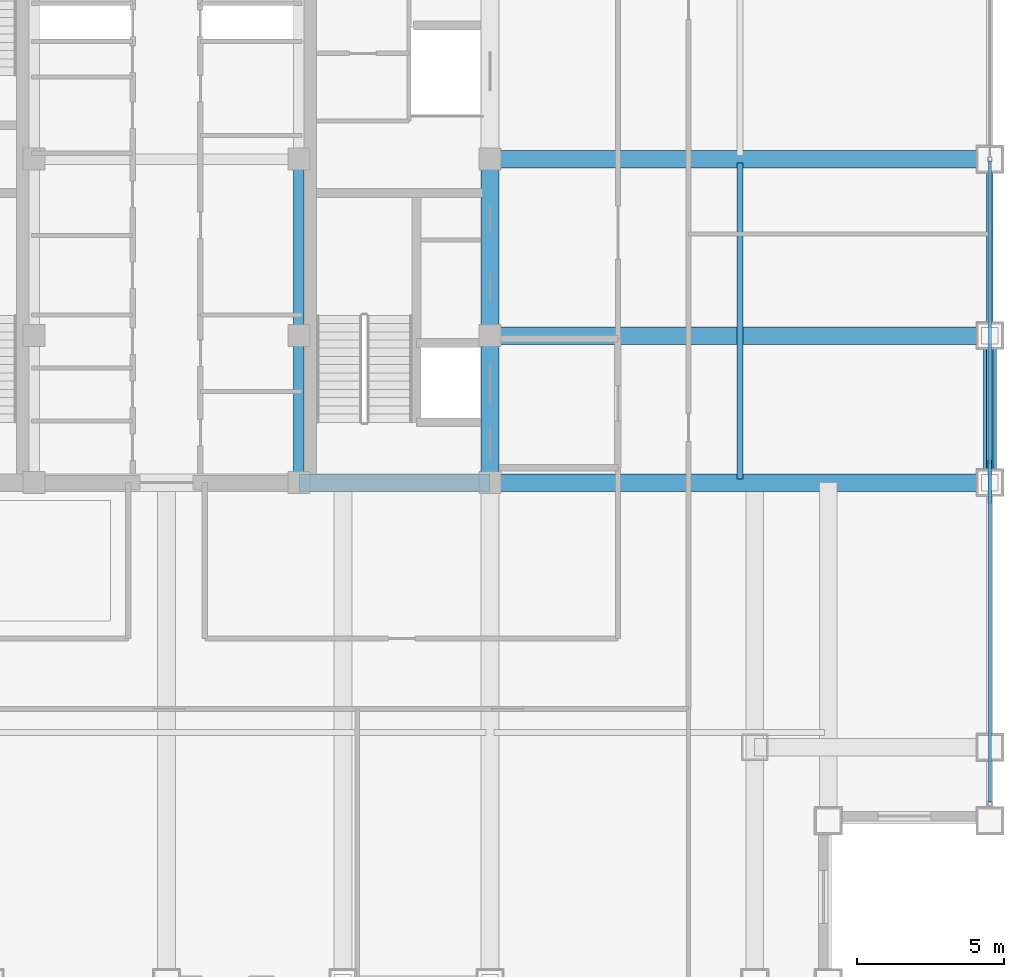
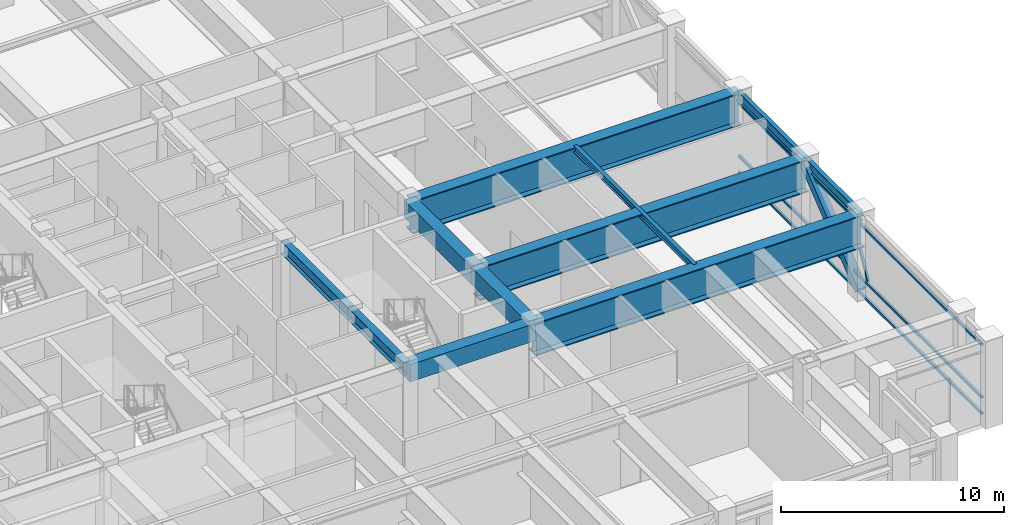
# One storey, part 11 of 31: 11 beams, 5 members, 1 element without a shape of its own.
"""IFC4 building model written with IfcOpenShell, lengths in metres."""

from ifc_helpers import new_model, si_unit, direction, frame, origin, origin_2d, place, context, subcontext, project, spatial, rectangle, hollow_rectangle, i_section, extrude, source, transform, mapped, material, material_profile, profile_set, type_object, element, aggregate, save


model = new_model("IFC4")

# Units and contexts
model_context = context("Model", 3, precision=1e-05, world=origin(), true_north=direction((0.0, 1.0)))
body_context = subcontext(model_context, "Body", "Model", "MODEL_VIEW")
ifc_project = project(units=[si_unit("LENGTHUNIT", "METRE"), si_unit("AREAUNIT", "SQUARE_METRE"), si_unit("VOLUMEUNIT", "CUBIC_METRE"), si_unit("PLANEANGLEUNIT", "RADIAN"), si_unit("MASSUNIT", "GRAM", prefix="KILO")], contexts=[model_context])

# Site, building, storey
site_placement = place(None, origin())
site = spatial("IfcSite", under=ifc_project, at=site_placement, CompositionType="ELEMENT")
building_placement = place(site_placement, origin())
building = spatial("IfcBuilding", under=site, at=building_placement, Name="Khorayat Bourse Tower", CompositionType="ELEMENT")
storey_placement = place(building_placement, frame((0.0, 0.0, 321.5)))
storey = spatial("IfcBuildingStorey", under=building, at=storey_placement, Name="L76", CompositionType="ELEMENT", Elevation=321.5)

# Beams
ifc_material_1 = material(Name="Steel ASTM A992 Grade 50", Category="steel")
ifc_material_profile_1 = material_profile(ifc_material_1, i_section(OverallWidth=0.35498046875, OverallDepth=0.695068359375, WebThickness=0.015380859375, FlangeThickness=0.02490234375, FilletRadius=0.01806640625, at=origin_2d()), Name="W690X217")
ifc_profile_set_1 = profile_set([ifc_material_profile_1], Name="Steel ASTM A992 Grade 50")
beam_type_1 = type_object("IfcBeamType", Name="BM-GIRD-690", PredefinedType="BEAM", material=ifc_profile_set_1)
shared_shape_1 = source(origin(), body_context, "Body", "SweptSolid", [
    extrude(i_section(OverallWidth=0.35498046875, OverallDepth=0.695068359375, WebThickness=0.015380859375, FlangeThickness=0.02490234375, FilletRadius=0.01806640625, at=origin_2d()), origin(), (0.0, 0.0, 1.0), 5.0),
])
beam_1_placement = place(storey_placement, frame((4.5, -11.0, 4.1923828125), z_axis=(0.0, 1.0, 0.0), x_axis=(-1.0, 0.0, 0.0)))
element("IfcBeam", 1, at=beam_1_placement, inside=storey, type_object=beam_type_1, Name="L76 BM-GIRD-690 BM-L76-CRX-09", PredefinedType="BEAM", context=body_context, shape_type="MappedRepresentation", body=[
    mapped(shared_shape_1, transform((0.0, 0.0, 0.0), scale=1.0)),
])
shared_shape_2 = source(origin(), body_context, "Body", "SweptSolid", [
    extrude(i_section(OverallWidth=0.35498046875, OverallDepth=0.695068359375, WebThickness=0.015380859375, FlangeThickness=0.02490234375, FilletRadius=0.01806640625, at=origin_2d()), origin(), (0.0, 0.0, 1.0), 6.0),
])
beam_2_placement = place(storey_placement, frame((4.5, -6.0, 4.1923828125), z_axis=(0.0, 1.0, 0.0), x_axis=(-1.0, 0.0, 0.0)))
element("IfcBeam", 2, at=beam_2_placement, inside=storey, type_object=beam_type_1, Name="L76 BM-GIRD-690 BM-L76-CRX-10", PredefinedType="BEAM", context=body_context, shape_type="MappedRepresentation", body=[
    mapped(shared_shape_2, transform((0.0, 0.0, 0.0), scale=1.0)),
])
ifc_material_2 = material(Name="Steel EN 10025-4 S460M", Category="steel")
ifc_material_profile_2 = material_profile(ifc_material_2, i_section(OverallWidth=0.60009765625, OverallDepth=1.800048828125, WebThickness=0.031982421875, FlangeThickness=0.06005859375, at=origin_2d()), Name="PG 1800x600x32x60")
ifc_profile_set_2 = profile_set([ifc_material_profile_2], Name="Steel EN 10025-4 S460M")
beam_type_2 = type_object("IfcBeamType", Name="BM-TR-1800", PredefinedType="BEAM", material=ifc_profile_set_2)
shared_shape_3 = source(origin(), body_context, "Body", "SweptSolid", [
    extrude(i_section(OverallWidth=0.60009765625, OverallDepth=1.800048828125, WebThickness=0.031982421875, FlangeThickness=0.06005859375, at=origin_2d()), origin(), (0.0, 0.0, 1.0), 17.0),
])
for number, where, z_axis, x_axis, name in (
    (3, (11.0, -11.0, 3.639892578125), (1.0, 0.0, 0.0), (0.0, 1.0, 0.0), "L76 BM-TR-1800 BM-L76-RADX-074"),
    (4, (11.0, -6.0, 3.639892578125), (1.0, 0.0, 0.0), (0.0, 1.0, 0.0), "L76 BM-TR-1800 BM-L76-RADX-076"),
    (5, (11.0, 0.0, 3.639892578125), (1.0, 0.0, 0.0), (0.0, 1.0, 0.0), "L76 BM-TR-1800 BM-L76-RADX-078"),
):
    element("IfcBeam", number, at=place(storey_placement, frame(where, z_axis=z_axis, x_axis=x_axis)), inside=storey, type_object=beam_type_2, Name=name, PredefinedType="BEAM", context=body_context, shape_type="MappedRepresentation", body=[
        mapped(shared_shape_3, transform((0.0, 0.0, 0.0), scale=1.0)),
    ])
ifc_material_3 = material(Name="Concrete C60/75", Category="concrete")
ifc_material_profile_3 = material_profile(ifc_material_3, rectangle(XDim=0.60009765625, YDim=0.949951171875, at=origin_2d()), Name="RC 600x950")
ifc_profile_set_3 = profile_set([ifc_material_profile_3], Name="Concrete C60/75")
beam_type_3 = type_object("IfcBeamType", Name="BM-COUP-950", PredefinedType="BEAM", material=ifc_profile_set_3)
shared_shape_4 = source(origin(), body_context, "Body", "SweptSolid", [
    extrude(rectangle(XDim=0.60009765625, YDim=0.949951171875, at=origin_2d()), origin(), (0.0, 0.0, 1.0), 5.0),
])
beam_3_placement = place(storey_placement, frame((11.0, -11.0, 4.06494140625), z_axis=(0.0, 1.0, 0.0), x_axis=(-1.0, 0.0, 0.0)))
element("IfcBeam", 6, at=beam_3_placement, inside=storey, type_object=beam_type_3, Name="L76 BM-COUP-950 BM-L76-CRX-13", PredefinedType="BEAM", context=body_context, shape_type="MappedRepresentation", body=[
    mapped(shared_shape_4, transform((0.0, 0.0, 0.0), scale=1.0)),
])
shared_shape_5 = source(origin(), body_context, "Body", "SweptSolid", [
    extrude(rectangle(XDim=0.60009765625, YDim=0.949951171875, at=origin_2d()), origin(), (0.0, 0.0, 1.0), 6.0),
])
beam_4_placement = place(storey_placement, frame((11.0, -6.0, 4.06494140625), z_axis=(0.0, 1.0, 0.0), x_axis=(-1.0, 0.0, 0.0)))
element("IfcBeam", 7, at=beam_4_placement, inside=storey, type_object=beam_type_3, Name="L76 BM-COUP-950 BM-L76-CRX-14", PredefinedType="BEAM", context=body_context, shape_type="MappedRepresentation", body=[
    mapped(shared_shape_5, transform((0.0, 0.0, 0.0), scale=1.0)),
])
shared_shape_6 = source(origin(), body_context, "Body", "SweptSolid", [
    extrude(rectangle(XDim=0.60009765625, YDim=0.949951171875, at=origin_2d()), origin(), (0.0, 0.0, 1.0), 6.5),
])
beam_5_placement = place(storey_placement, frame((4.5, -11.0, 4.06494140625), z_axis=(1.0, 0.0, 0.0), x_axis=(0.0, 1.0, 0.0)))
element("IfcBeam", 8, at=beam_5_placement, inside=storey, type_object=beam_type_3, Name="L76 BM-COUP-950 BM-L76-CRY-19", PredefinedType="BEAM", context=body_context, shape_type="MappedRepresentation", body=[
    mapped(shared_shape_6, transform((0.0, 0.0, 0.0), scale=1.0)),
])
ifc_material_profile_4 = material_profile(ifc_material_1, i_section(OverallWidth=0.202880859375, OverallDepth=0.346923828125, WebThickness=0.0078125, FlangeThickness=0.013427734375, FilletRadius=0.010009765625, at=origin_2d()), Name="W360X64")
ifc_profile_set_4 = profile_set([ifc_material_profile_4], Name="Steel ASTM A992 Grade 50")
beam_type_4 = type_object("IfcBeamType", Name="BM-JOIST-360", PredefinedType="JOIST", material=ifc_profile_set_4)
shared_shape_7 = source(origin(), body_context, "Body", "SweptSolid", [
    extrude(i_section(OverallWidth=0.202880859375, OverallDepth=0.346923828125, WebThickness=0.0078125, FlangeThickness=0.013427734375, FilletRadius=0.010009765625, at=origin_2d()), origin(), (0.0, 0.0, 1.0), 10.740234375),
])
beam_6_placement = place(storey_placement, frame((19.5, -10.8701171875, 4.366455078125), z_axis=(0.0, 1.0, 0.0), x_axis=(-1.0, 0.0, 0.0)))
element("IfcBeam", 9, at=beam_6_placement, inside=storey, type_object=beam_type_4, Name="L76 BM-JOIST-360 BM-L76-JSTY-104", PredefinedType="JOIST", context=body_context, shape_type="MappedRepresentation", body=[
    mapped(shared_shape_7, transform((0.0, 0.0, 0.0), scale=1.0)),
])
ifc_material_profile_5 = material_profile(ifc_material_1, i_section(OverallWidth=0.214111328125, OverallDepth=0.549072265625, WebThickness=0.0146484375, FlangeThickness=0.023681640625, FilletRadius=0.013916015625, at=origin_2d()), Name="W530X138")
ifc_profile_set_5 = profile_set([ifc_material_profile_5], Name="Steel ASTM A992 Grade 50")
beam_type_5 = type_object("IfcBeamType", Name="BM-SPAN-530", PredefinedType="SPANDREL", material=ifc_profile_set_5)
shared_shape_8 = source(origin(), body_context, "Body", "SweptSolid", [
    extrude(i_section(OverallWidth=0.214111328125, OverallDepth=0.549072265625, WebThickness=0.0146484375, FlangeThickness=0.023681640625, FilletRadius=0.013916015625, at=origin_2d()), origin(), (0.0, 0.0, 1.0), 5.0),
])
beam_7_placement = place(storey_placement, frame((28.0, -11.0, 4.265380859375), z_axis=(0.0, 1.0, 0.0), x_axis=(-1.0, 0.0, 0.0)))
element("IfcBeam", 10, at=beam_7_placement, inside=storey, type_object=beam_type_5, Name="L76 BM-SPAN-530 BM-L76-SPN-036", PredefinedType="SPANDREL", context=body_context, shape_type="MappedRepresentation", body=[
    mapped(shared_shape_8, transform((0.0, 0.0, 0.0), scale=1.0)),
])
shared_shape_9 = source(origin(), body_context, "Body", "SweptSolid", [
    extrude(i_section(OverallWidth=0.214111328125, OverallDepth=0.549072265625, WebThickness=0.0146484375, FlangeThickness=0.023681640625, FilletRadius=0.013916015625, at=origin_2d()), origin(), (0.0, 0.0, 1.0), 6.0),
])
beam_8_placement = place(storey_placement, frame((28.0, -6.0, 4.265380859375), z_axis=(0.0, 1.0, 0.0), x_axis=(-1.0, 0.0, 0.0)))
element("IfcBeam", 11, at=beam_8_placement, inside=storey, type_object=beam_type_5, Name="L76 BM-SPAN-530 BM-L76-SPN-037", PredefinedType="SPANDREL", context=body_context, shape_type="MappedRepresentation", body=[
    mapped(shared_shape_9, transform((0.0, 0.0, 0.0), scale=1.0)),
])

# Member
ifc_material_profile_6 = material_profile(ifc_material_2, hollow_rectangle(XDim=0.449951171875, YDim=0.449951171875, WallThickness=0.02490234375, at=origin_2d()), Name="HSS 450x450x25")
ifc_profile_set_6 = profile_set([ifc_material_profile_6], Name="Steel EN 10025-4 S460M")
member_type_1 = type_object("IfcMemberType", Name="MBR-TUBE-450", PredefinedType="BRACE", material=ifc_profile_set_6)
shared_shape_10 = source(origin(), body_context, "Body", "SweptSolid", [
    extrude(hollow_rectangle(XDim=0.449951171875, YDim=0.449951171875, WallThickness=0.02490234375, at=origin_2d()), origin(), (0.0, 0.0, 1.0), 6.42822265625),
])
member_1_placement = place(storey_placement, frame((28.0, -11.0, 0.25), z_axis=(0.0, 0.777821209127, 0.628485613703), x_axis=(-1.0, 0.0, 0.0)))
element("IfcMember", 12, at=member_1_placement, inside=storey, type_object=member_type_1, Name="L76 Perimeter Tube Brace 07", PredefinedType="BRACE", context=body_context, shape_type="MappedRepresentation", body=[
    mapped(shared_shape_10, transform((0.0, 0.0, 0.0), scale=1.0)),
])

# Curtain wall, members
ifc_material_4 = material(Name="Aluminium EN AW-6063 T6", Category="aluminium")
curtain_wall_type = type_object("IfcCurtainWallType", Name="CW-SYS-05", PredefinedType="NOTDEFINED", material=ifc_material_4)
curtain_wall_placement = place(storey_placement, origin())
curtain_wall = element("IfcCurtainWall", 13, at=curtain_wall_placement, inside=storey, type_object=curtain_wall_type, Name="L76 Curtain Wall CW-L76-E1", PredefinedType="NOTDEFINED")
ifc_material_profile_7 = material_profile(ifc_material_4, hollow_rectangle(XDim=0.1201171875, YDim=0.1201171875, WallThickness=0.0048828125, at=origin_2d()), Name="ALU 120x120x5")
ifc_profile_set_7 = profile_set([ifc_material_profile_7], Name="Aluminium EN AW-6063 T6")
member_type_2 = type_object("IfcMemberType", Name="CWM-DIAG-120", PredefinedType="MULLION", material=ifc_profile_set_7)
shared_shape_11 = source(origin(), body_context, "Body", "SweptSolid", [
    extrude(hollow_rectangle(XDim=0.1201171875, YDim=0.1201171875, WallThickness=0.0048828125, at=origin_2d()), origin(), (0.0, 0.0, 1.0), 2.93798828125),
])
member_2_placement = place(storey_placement, frame((28.0, -11.649169921875, 1.090087890625), z_axis=(0.0, 0.465763557035, 0.884909209432), x_axis=(-1.0, 0.0, 0.0)))
member_2 = element("IfcMember", 14, at=member_2_placement, type_object=member_type_2, Name="CW-L76-E1 Faceted Diagonal Mullion 1", PredefinedType="MULLION", context=body_context, shape_type="MappedRepresentation", body=[
    mapped(shared_shape_11, transform((0.0, 0.0, 0.0), scale=1.0)),
])
ifc_material_profile_8 = material_profile(ifc_material_4, hollow_rectangle(XDim=0.1201171875, YDim=0.1201171875, WallThickness=0.0048828125, at=origin_2d()), Name="ALU 120x120x5")
ifc_profile_set_8 = profile_set([ifc_material_profile_8], Name="Aluminium EN AW-6063 T6")
member_type_3 = type_object("IfcMemberType", Name="CWT-HORZ-120", PredefinedType="USERDEFINED", material=ifc_profile_set_8)
shared_shape_12 = source(origin(), body_context, "Body", "SweptSolid", [
    extrude(hollow_rectangle(XDim=0.1201171875, YDim=0.1201171875, WallThickness=0.0048828125, at=origin_2d()), origin(), (0.0, 0.0, 1.0), 21.7900390625),
])
member_3_placement = place(storey_placement, frame((28.0, -21.860107421875, 0.06005859375), z_axis=(0.0, 1.0, 0.0), x_axis=(-1.0, 0.0, 0.0)))
member_3 = element("IfcMember", 15, at=member_3_placement, type_object=member_type_3, Name="CW-L76-E1 Horizontal Transom 1-1", ObjectType="TRANSOM", PredefinedType="USERDEFINED", context=body_context, shape_type="MappedRepresentation", body=[
    mapped(shared_shape_12, transform((0.0, 0.0, 0.0), scale=1.0)),
])
member_4_placement = place(storey_placement, frame((28.0, -21.860107421875, 0.949951171875), z_axis=(0.0, 1.0, 0.0), x_axis=(-1.0, 0.0, 0.0)))
member_4 = element("IfcMember", 16, at=member_4_placement, type_object=member_type_3, Name="CW-L76-E1 Horizontal Transom 1-2", ObjectType="TRANSOM", PredefinedType="USERDEFINED", context=body_context, shape_type="MappedRepresentation", body=[
    mapped(shared_shape_12, transform((0.0, 0.0, 0.0), scale=1.0)),
])
member_5_placement = place(storey_placement, frame((28.0, -21.860107421875, 3.830078125), z_axis=(0.0, 1.0, 0.0), x_axis=(-1.0, 0.0, 0.0)))
member_5 = element("IfcMember", 17, at=member_5_placement, type_object=member_type_3, Name="CW-L76-E1 Horizontal Transom 1-3", ObjectType="TRANSOM", PredefinedType="USERDEFINED", context=body_context, shape_type="MappedRepresentation", body=[
    mapped(shared_shape_12, transform((0.0, 0.0, 0.0), scale=1.0)),
])
aggregate(curtain_wall, [member_3, member_4, member_5, member_2])

save(model, "model.ifc")
